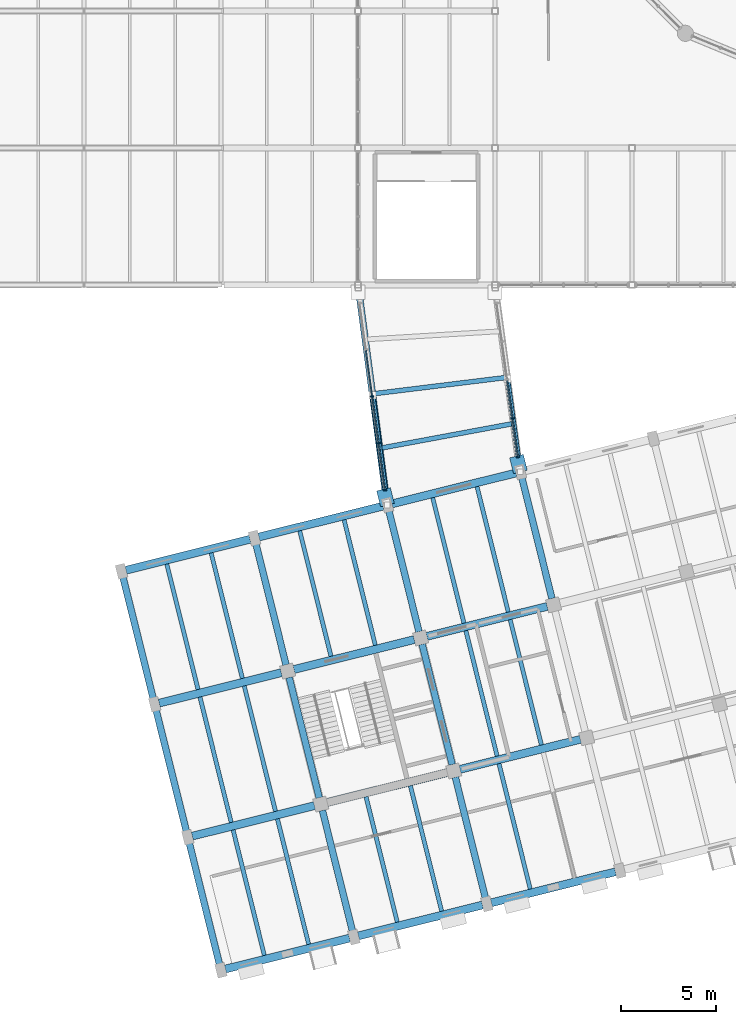
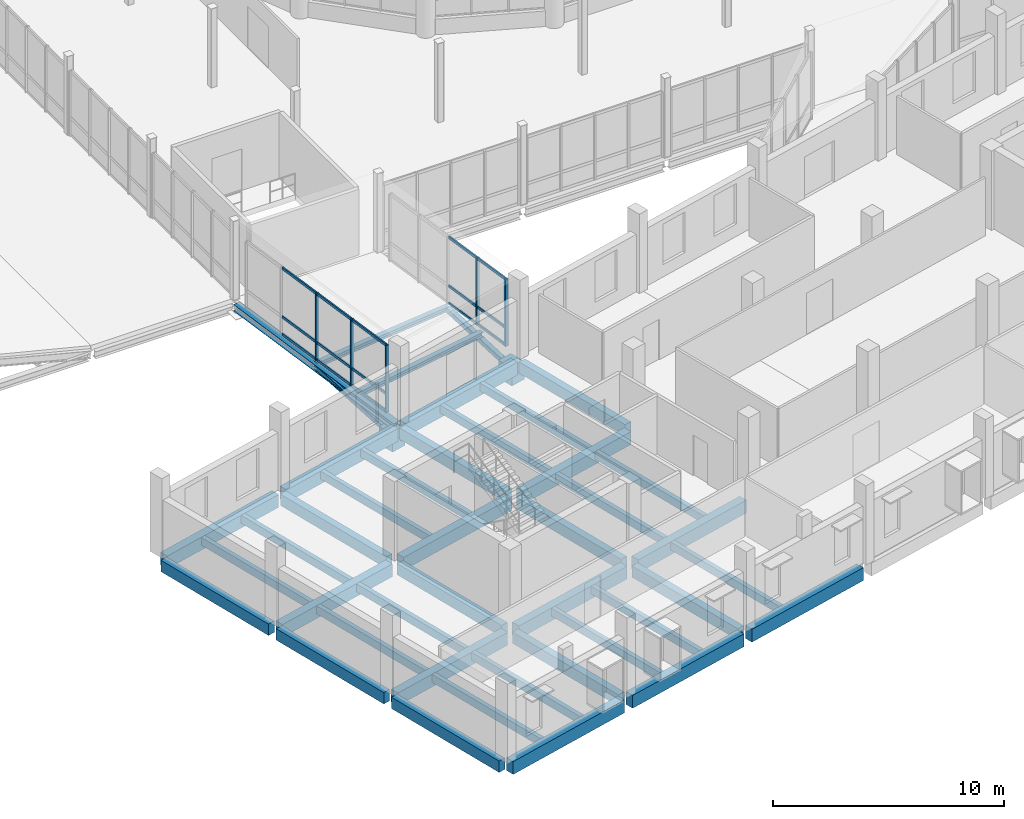
# One storey, part 12 of 63: 42 beams, 22 members, 2 elements without a shape of their own.
"""IFC4 building model written with IfcOpenShell, lengths in metres."""

from ifc_helpers import new_model, si_unit, direction, frame, origin, origin_2d, place, context, subcontext, project, spatial, rectangle, hollow_rectangle, i_section, extrude, material, material_profile, profile_set, type_object, element, aggregate, save


model = new_model("IFC4")

# Units and contexts
model_context = context("Model", 3, precision=1e-05, world=origin(), true_north=direction((0.0, 1.0)))
body_context = subcontext(model_context, "Body", "Model", "MODEL_VIEW")
ifc_project = project(units=[si_unit("LENGTHUNIT", "METRE"), si_unit("AREAUNIT", "SQUARE_METRE"), si_unit("VOLUMEUNIT", "CUBIC_METRE"), si_unit("PLANEANGLEUNIT", "RADIAN"), si_unit("MASSUNIT", "GRAM", prefix="KILO")], contexts=[model_context])

# Site, building, storey
site_placement = place(None, origin())
site = spatial("IfcSite", under=ifc_project, at=site_placement, CompositionType="ELEMENT")
building_placement = place(site_placement, origin())
building = spatial("IfcBuilding", under=site, at=building_placement, Name="Qiaolan Assembly House", CompositionType="ELEMENT")
storey_placement = place(building_placement, frame((0.0, 0.0, 14.39990234375)))
storey = spatial("IfcBuildingStorey", under=building, at=storey_placement, Name="L03", CompositionType="ELEMENT", Elevation=14.39990234375)

# Beams
ifc_material_1 = material(Name="Steel Q355B", Category="steel")
ifc_material_profile_1 = material_profile(ifc_material_1, i_section(OverallWidth=0.35009765625, OverallDepth=0.35009765625, WebThickness=0.011962890625, FlangeThickness=0.01904296875, FilletRadius=0.02001953125, at=origin_2d()), Name="HW 350x350x12x19-BR")
ifc_profile_set_1 = profile_set([ifc_material_profile_1], Name="Steel Q355B")
beam_type_1 = type_object("IfcBeamType", Name="BM-BRIDGE-CHORD-HW350", PredefinedType="BEAM", material=ifc_profile_set_1)
beam_1_placement = place(storey_placement, frame((44.7177734375, 24.55859375, -0.364990234375), z_axis=(-0.131494663693, 0.99131687841, 0.0), x_axis=(-0.99131687841, -0.131494663693, 0.0)))
element("IfcBeam", 1, at=beam_1_placement, inside=storey, type_object=beam_type_1, Name="BGB-01 skybridge main girder WB L03", PredefinedType="BEAM", context=body_context, shape_type="SweptSolid", body=[
    extrude(i_section(OverallWidth=0.35009765625, OverallDepth=0.35009765625, WebThickness=0.011962890625, FlangeThickness=0.01904296875, FilletRadius=0.02001953125, at=origin_2d()), origin(), (0.0, 0.0, 1.0), 11.40185546875),
])
ifc_material_profile_2 = material_profile(ifc_material_1, i_section(OverallWidth=0.25, OverallDepth=0.25, WebThickness=0.009033203125, FlangeThickness=0.013916015625, FilletRadius=0.01611328125, at=origin_2d()), Name="HW 250x250x9x14")
ifc_profile_set_2 = profile_set([ifc_material_profile_2], Name="Steel Q355B")
beam_type_2 = type_object("IfcBeamType", Name="BM-BRIDGE-CROSS-HW250", PredefinedType="BEAM", material=ifc_profile_set_2)
beam_2_placement = place(storey_placement, frame((44.33837890625, 27.4189453125, -0.31494140625), z_axis=(0.983212514339, 0.182464110572, 0.0), x_axis=(-0.182464110572, 0.983212514339, 0.0)))
element("IfcBeam", 2, at=beam_2_placement, inside=storey, type_object=beam_type_2, Name="BGB-02 skybridge cross beam WB L03", PredefinedType="BEAM", context=body_context, shape_type="SweptSolid", body=[
    extrude(i_section(OverallWidth=0.25, OverallDepth=0.25, WebThickness=0.009033203125, FlangeThickness=0.013916015625, FilletRadius=0.01611328125, at=origin_2d()), origin(), (0.0, 0.0, 1.0), 7.15966796875),
])
beam_3_placement = place(storey_placement, frame((43.958740234375, 30.279296875, -0.31494140625), z_axis=(0.992547732706, 0.121856465979, 0.0), x_axis=(-0.121856465979, 0.992547732706, 0.0)))
element("IfcBeam", 3, at=beam_3_placement, inside=storey, type_object=beam_type_2, Name="BGB-02 skybridge cross beam WB L03", PredefinedType="BEAM", context=body_context, shape_type="SweptSolid", body=[
    extrude(i_section(OverallWidth=0.25, OverallDepth=0.25, WebThickness=0.009033203125, FlangeThickness=0.013916015625, FilletRadius=0.01611328125, at=origin_2d()), origin(), (0.0, 0.0, 1.0), 7.146484375),
])
ifc_material_2 = material(Name="Concrete C50/60", Category="concrete")
ifc_material_profile_3 = material_profile(ifc_material_2, rectangle(XDim=0.75, YDim=0.949951171875, at=origin_2d()), Name="RCB 750x950")
ifc_profile_set_3 = profile_set([ifc_material_profile_3], Name="Concrete C50/60")
beam_type_3 = type_object("IfcBeamType", Name="BM-CORBEL-750x950", PredefinedType="SPANDREL", material=ifc_profile_set_3)
beam_4_placement = place(storey_placement, frame((44.746826171875, 24.442138671875, -1.05078125), z_axis=(-0.242130110678, 0.970243788696, 0.0), x_axis=(-0.970243788696, -0.242130110678, 0.0)))
element("IfcBeam", 4, at=beam_4_placement, inside=storey, type_object=beam_type_3, Name="CB-01 movement-joint RC corbel WB L03 SE", PredefinedType="SPANDREL", context=body_context, shape_type="SweptSolid", body=[
    extrude(rectangle(XDim=0.75, YDim=0.949951171875, at=origin_2d()), origin(), (0.0, 0.0, 1.0), 0.85009765625),
])
beam_5_placement = place(storey_placement, frame((51.73291015625, 26.183837890625, -1.05078125), z_axis=(-0.241859697247, 0.97031123195, 0.0), x_axis=(-0.97031123195, -0.241859697247, 0.0)))
element("IfcBeam", 5, at=beam_5_placement, inside=storey, type_object=beam_type_3, Name="CB-01 movement-joint RC corbel WB L03 SE", PredefinedType="SPANDREL", context=body_context, shape_type="SweptSolid", body=[
    extrude(rectangle(XDim=0.75, YDim=0.949951171875, at=origin_2d()), origin(), (0.0, 0.0, 1.0), 0.849853515625),
])
ifc_material_3 = material(Name="Concrete C40/50", Category="concrete")
ifc_material_profile_4 = material_profile(ifc_material_3, rectangle(XDim=0.35009765625, YDim=0.60009765625, at=origin_2d()), Name="RCB 350x600")
ifc_profile_set_4 = profile_set([ifc_material_profile_4], Name="Concrete C40/50")
beam_type_4 = type_object("IfcBeamType", Name="BM-RC-350x600", PredefinedType="BEAM", material=ifc_profile_set_4)
beam_6_placement = place(storey_placement, frame((35.94189453125, 0.23291015625, -0.514892578125), z_axis=(-0.241928634891, 0.970294045957, 0.0), x_axis=(-0.970294045957, -0.241928634891, 0.0)))
element("IfcBeam", 6, at=beam_6_placement, inside=storey, type_object=beam_type_4, Name="GB-08 beam BMV-SE-L03-00-00", PredefinedType="BEAM", context=body_context, shape_type="SweptSolid", body=[
    extrude(rectangle(XDim=0.35009765625, YDim=0.60009765625, at=origin_2d()), origin(), (0.0, 0.0, 1.0), 6.719970703125),
])
for number, where, z_axis, x_axis, name in (
    (7, (34.2001953125, 7.218994140625, -0.514892578125), (-0.241920106756, 0.970296172283, 0.0), (-0.970296172283, -0.241920106756, 0.0), "GB-08 beam BMV-SE-L03-00-01"),
    (8, (32.458251953125, 14.205078125, -0.514892578125), (-0.241920106756, 0.970296172283, 0.0), (-0.970296172283, -0.241920106756, 0.0), "GB-08 beam BMV-SE-L03-00-02"),
):
    element("IfcBeam", number, at=place(storey_placement, frame(where, z_axis=z_axis, x_axis=x_axis)), inside=storey, type_object=beam_type_4, Name=name, PredefinedType="BEAM", context=body_context, shape_type="SweptSolid", body=[
        extrude(rectangle(XDim=0.35009765625, YDim=0.60009765625, at=origin_2d()), origin(), (0.0, 0.0, 1.0), 6.72021484375),
    ])
beam_7_placement = place(storey_placement, frame((42.927978515625, 1.974609375, -0.514892578125), z_axis=(-0.241893432628, 0.970302822448, 0.0), x_axis=(-0.970302822448, -0.241893432628, 0.0)))
element("IfcBeam", 9, at=beam_7_placement, inside=storey, type_object=beam_type_4, Name="GB-08 beam BMV-SE-L03-01-00", PredefinedType="BEAM", context=body_context, shape_type="SweptSolid", body=[
    extrude(rectangle(XDim=0.35009765625, YDim=0.60009765625, at=origin_2d()), origin(), (0.0, 0.0, 1.0), 6.619873046875),
])
beam_8_placement = place(storey_placement, frame((41.162109375, 9.057861328125, -0.514892578125), z_axis=(-0.241927658105, 0.970294289504, 0.0), x_axis=(-0.970294289504, -0.241927658105, 0.0)))
element("IfcBeam", 10, at=beam_8_placement, inside=storey, type_object=beam_type_4, Name="GB-08 beam BMV-SE-L03-01-01", PredefinedType="BEAM", context=body_context, shape_type="SweptSolid", body=[
    extrude(rectangle(XDim=0.35009765625, YDim=0.60009765625, at=origin_2d()), origin(), (0.0, 0.0, 1.0), 6.52001953125),
])
for number, where, z_axis, x_axis, name in (
    (11, (39.420166015625, 16.0439453125, -0.514892578125), (-0.241928153868, 0.970294165893, 0.0), (-0.970294165893, -0.241928153868, 0.0), "GB-08 beam BMV-SE-L03-01-02"),
    (12, (49.914306640625, 3.716552734375, -0.514892578125), (-0.241928153868, 0.970294165893, 0.0), (-0.970294165893, -0.241928153868, 0.0), "GB-08 beam BMV-SE-L03-02-00"),
):
    element("IfcBeam", number, at=place(storey_placement, frame(where, z_axis=z_axis, x_axis=x_axis)), inside=storey, type_object=beam_type_4, Name=name, PredefinedType="BEAM", context=body_context, shape_type="SweptSolid", body=[
        extrude(rectangle(XDim=0.35009765625, YDim=0.60009765625, at=origin_2d()), origin(), (0.0, 0.0, 1.0), 6.619873046875),
    ])
beam_9_placement = place(storey_placement, frame((48.148193359375, 10.7998046875, -0.514892578125), z_axis=(-0.241936448129, 0.970292097807, 0.0), x_axis=(-0.970292097807, -0.241936448129, 0.0)))
element("IfcBeam", 13, at=beam_9_placement, inside=storey, type_object=beam_type_4, Name="GB-08 beam BMV-SE-L03-02-01", PredefinedType="BEAM", context=body_context, shape_type="SweptSolid", body=[
    extrude(rectangle(XDim=0.35009765625, YDim=0.60009765625, at=origin_2d()), origin(), (0.0, 0.0, 1.0), 6.519775390625),
])
for number, where, z_axis, x_axis, name in (
    (14, (46.40625, 17.785888671875, -0.514892578125), (-0.241928153868, 0.970294165893, 0.0), (-0.970294165893, -0.241928153868, 0.0), "GB-08 beam BMV-SE-L03-02-02"),
    (15, (53.392578125, 19.527587890625, -0.514892578125), (-0.241928153868, 0.970294165893, 0.0), (-0.970294165893, -0.241928153868, 0.0), "GB-08 beam BMV-SE-L03-03-02"),
):
    element("IfcBeam", number, at=place(storey_placement, frame(where, z_axis=z_axis, x_axis=x_axis)), inside=storey, type_object=beam_type_4, Name=name, PredefinedType="BEAM", context=body_context, shape_type="SweptSolid", body=[
        extrude(rectangle(XDim=0.35009765625, YDim=0.60009765625, at=origin_2d()), origin(), (0.0, 0.0, 1.0), 6.619873046875),
    ])
ifc_material_profile_5 = material_profile(ifc_material_3, rectangle(XDim=0.419921875, YDim=0.679931640625, at=origin_2d()), Name="RCB 420x680")
ifc_profile_set_5 = profile_set([ifc_material_profile_5], Name="Concrete C40/50")
beam_type_5 = type_object("IfcBeamType", Name="BM-RC-420x680", PredefinedType="BEAM", material=ifc_profile_set_5)
beam_10_placement = place(storey_placement, frame((36.23291015625, 0.05810546875, -0.554931640625), z_axis=(0.970294045957, 0.241928634891, 0.0), x_axis=(-0.241928634891, 0.970294045957, 0.0)))
element("IfcBeam", 16, at=beam_10_placement, inside=storey, type_object=beam_type_5, Name="GB-12 beam BMU-SE-L03-00-00", PredefinedType="BEAM", context=body_context, shape_type="SweptSolid", body=[
    extrude(rectangle(XDim=0.419921875, YDim=0.679931640625, at=origin_2d()), origin(), (0.0, 0.0, 1.0), 6.719970703125),
])
for number, where, z_axis, x_axis, name in (
    (17, (43.218994140625, 1.7998046875, -0.554931640625), (0.970296172283, 0.241920106756, 0.0), (-0.241920106756, 0.970296172283, 0.0), "GB-12 beam BMU-SE-L03-01-00"),
    (18, (50.205078125, 3.541748046875, -0.554931640625), (0.970296172283, 0.241920106756, 0.0), (-0.241920106756, 0.970296172283, 0.0), "GB-12 beam BMU-SE-L03-02-00"),
):
    element("IfcBeam", number, at=place(storey_placement, frame(where, z_axis=z_axis, x_axis=x_axis)), inside=storey, type_object=beam_type_5, Name=name, PredefinedType="BEAM", context=body_context, shape_type="SweptSolid", body=[
        extrude(rectangle(XDim=0.419921875, YDim=0.679931640625, at=origin_2d()), origin(), (0.0, 0.0, 1.0), 6.72021484375),
    ])
beam_11_placement = place(storey_placement, frame((34.490966796875, 7.044189453125, -0.554931640625), z_axis=(0.970294165893, 0.241928153868, 0.0), x_axis=(-0.241928153868, 0.970294165893, 0.0)))
element("IfcBeam", 19, at=beam_11_placement, inside=storey, type_object=beam_type_5, Name="GB-12 beam BMU-SE-L03-00-01", PredefinedType="BEAM", context=body_context, shape_type="SweptSolid", body=[
    extrude(rectangle(XDim=0.419921875, YDim=0.679931640625, at=origin_2d()), origin(), (0.0, 0.0, 1.0), 6.619873046875),
])
for number, where, z_axis, x_axis, name in (
    (20, (41.57421875, 8.810302734375, -0.554931640625), (0.970303078658, 0.241892404898, 0.0), (-0.241892404898, 0.970303078658, 0.0), "GB-12 beam BMU-SE-L03-01-01"),
    (21, (48.560302734375, 10.552001953125, -0.554931640625), (0.970294289504, 0.241927658105, 0.0), (-0.241927658105, 0.970294289504, 0.0), "GB-12 beam BMU-SE-L03-02-01"),
):
    element("IfcBeam", number, at=place(storey_placement, frame(where, z_axis=z_axis, x_axis=x_axis)), inside=storey, type_object=beam_type_5, Name=name, PredefinedType="BEAM", context=body_context, shape_type="SweptSolid", body=[
        extrude(rectangle(XDim=0.419921875, YDim=0.679931640625, at=origin_2d()), origin(), (0.0, 0.0, 1.0), 6.52001953125),
    ])
beam_12_placement = place(storey_placement, frame((32.749267578125, 14.0302734375, -0.554931640625), z_axis=(0.970294165893, 0.241928153868, 0.0), x_axis=(-0.241928153868, 0.970294165893, 0.0)))
element("IfcBeam", 22, at=beam_12_placement, inside=storey, type_object=beam_type_5, Name="GB-12 beam BMU-SE-L03-00-02", PredefinedType="BEAM", context=body_context, shape_type="SweptSolid", body=[
    extrude(rectangle(XDim=0.419921875, YDim=0.679931640625, at=origin_2d()), origin(), (0.0, 0.0, 1.0), 6.619873046875),
])
beam_13_placement = place(storey_placement, frame((39.832275390625, 15.79638671875, -0.554931640625), z_axis=(0.970294289504, 0.241927658105, 0.0), x_axis=(-0.241927658105, 0.970294289504, 0.0)))
element("IfcBeam", 23, at=beam_13_placement, inside=storey, type_object=beam_type_5, Name="GB-12 beam BMU-SE-L03-01-02", PredefinedType="BEAM", context=body_context, shape_type="SweptSolid", body=[
    extrude(rectangle(XDim=0.419921875, YDim=0.679931640625, at=origin_2d()), origin(), (0.0, 0.0, 1.0), 6.52001953125),
])
beam_14_placement = place(storey_placement, frame((46.818603515625, 17.5380859375, -0.554931640625), z_axis=(0.970292097807, 0.241936448129, 0.0), x_axis=(-0.241936448129, 0.970292097807, 0.0)))
element("IfcBeam", 24, at=beam_14_placement, inside=storey, type_object=beam_type_5, Name="GB-12 beam BMU-SE-L03-02-02", PredefinedType="BEAM", context=body_context, shape_type="SweptSolid", body=[
    extrude(rectangle(XDim=0.419921875, YDim=0.679931640625, at=origin_2d()), origin(), (0.0, 0.0, 1.0), 6.519775390625),
])
for number, where, z_axis, x_axis, name in (
    (25, (31.00732421875, 21.016357421875, -0.554931640625), (0.970296172283, 0.241920106756, 0.0), (-0.241920106756, 0.970296172283, 0.0), "GB-12 beam BMU-SE-L03-00-03"),
    (26, (37.993408203125, 22.75830078125, -0.554931640625), (0.970296172283, 0.241920106756, 0.0), (-0.241920106756, 0.970296172283, 0.0), "GB-12 beam BMU-SE-L03-01-03"),
):
    element("IfcBeam", number, at=place(storey_placement, frame(where, z_axis=z_axis, x_axis=x_axis)), inside=storey, type_object=beam_type_5, Name=name, PredefinedType="BEAM", context=body_context, shape_type="SweptSolid", body=[
        extrude(rectangle(XDim=0.419921875, YDim=0.679931640625, at=origin_2d()), origin(), (0.0, 0.0, 1.0), 6.72021484375),
    ])
beam_15_placement = place(storey_placement, frame((44.979736328125, 24.500244140625, -0.554931640625), z_axis=(0.970302573856, 0.241894429802, 0.0), x_axis=(-0.241894429802, 0.970302573856, 0.0)))
element("IfcBeam", 27, at=beam_15_placement, inside=storey, type_object=beam_type_5, Name="GB-12 beam BMU-SE-L03-02-03", PredefinedType="BEAM", context=body_context, shape_type="SweptSolid", body=[
    extrude(rectangle(XDim=0.419921875, YDim=0.679931640625, at=origin_2d()), origin(), (0.0, 0.0, 1.0), 6.7197265625),
])

# Curtain wall, members
ifc_material_4 = material(Name="Anodised bronze aluminium", Category="aluminium")
curtain_wall_type = type_object("IfcCurtainWallType", Name="CW-BRIDGE-420", PredefinedType="NOTDEFINED", material=ifc_material_4)
curtain_wall_1_placement = place(storey_placement, origin())
curtain_wall_1 = element("IfcCurtainWall", 28, at=curtain_wall_1_placement, inside=storey, type_object=curtain_wall_type, Name="CW-03 Glazed Skybridge Curtain Wall WB L03 W", PredefinedType="NOTDEFINED")
ifc_material_profile_6 = material_profile(ifc_material_4, rectangle(XDim=0.077880859375, YDim=0.179931640625, at=origin_2d()), Name="MUL 78x180")
ifc_profile_set_6 = profile_set([ifc_material_profile_6], Name="Anodised bronze aluminium")
member_type_1 = type_object("IfcMemberType", Name="CW-BRIDGE-420-MUL", PredefinedType="MULLION", material=ifc_profile_set_6)
member_1_placement = place(storey_placement, frame((44.612060546875, 25.2294921875, 0.0), z_axis=(0.0, 0.0, 1.0), x_axis=(-0.134917653255, 0.990856814499, 0.0)))
member_1 = element("IfcMember", 29, at=member_1_placement, type_object=member_type_1, Name="ML-04 mullion CW-BRIDGE-WB-L03-W-1", PredefinedType="MULLION", context=body_context, shape_type="SweptSolid", body=[
    extrude(rectangle(XDim=0.077880859375, YDim=0.179931640625, at=origin_2d()), origin(), (0.0, 0.0, 1.0), 3.550048828125),
])
member_2_placement = place(storey_placement, frame((44.277587890625, 27.68603515625, 0.0), z_axis=(0.0, 0.0, 1.0), x_axis=(-0.134917653255, 0.990856814499, 0.0)))
member_2 = element("IfcMember", 30, at=member_2_placement, type_object=member_type_1, Name="ML-04 mullion CW-BRIDGE-WB-L03-W-2", PredefinedType="MULLION", context=body_context, shape_type="SweptSolid", body=[
    extrude(rectangle(XDim=0.077880859375, YDim=0.179931640625, at=origin_2d()), origin(), (0.0, 0.0, 1.0), 3.550048828125),
])
member_3_placement = place(storey_placement, frame((43.943115234375, 30.142333984375, 0.0), z_axis=(0.0, 0.0, 1.0), x_axis=(-0.134917653255, 0.990856814499, 0.0)))
member_3 = element("IfcMember", 31, at=member_3_placement, type_object=member_type_1, Name="ML-04 mullion CW-BRIDGE-WB-L03-W-3", PredefinedType="MULLION", context=body_context, shape_type="SweptSolid", body=[
    extrude(rectangle(XDim=0.077880859375, YDim=0.179931640625, at=origin_2d()), origin(), (0.0, 0.0, 1.0), 3.550048828125),
])

curtain_wall_2_placement = place(storey_placement, origin())
curtain_wall_2 = element("IfcCurtainWall", 32, at=curtain_wall_2_placement, inside=storey, type_object=curtain_wall_type, Name="CW-03 Glazed Skybridge Curtain Wall WB L03 E", PredefinedType="NOTDEFINED")
member_4_placement = place(storey_placement, frame((51.31640625, 28.9921875, 0.0), z_axis=(0.0, 0.0, 1.0), x_axis=(0.137387630004, -0.990517359324, 0.0)))
member_4 = element("IfcMember", 33, at=member_4_placement, type_object=member_type_1, Name="ML-04 mullion CW-BRIDGE-WB-L03-E-4", PredefinedType="MULLION", context=body_context, shape_type="SweptSolid", body=[
    extrude(rectangle(XDim=0.077880859375, YDim=0.179931640625, at=origin_2d()), origin(), (0.0, 0.0, 1.0), 3.550048828125),
])
member_5_placement = place(storey_placement, frame((51.596923828125, 26.97119140625, 0.0), z_axis=(0.0, 0.0, 1.0), x_axis=(0.137387630004, -0.990517359324, 0.0)))
member_5 = element("IfcMember", 34, at=member_5_placement, type_object=member_type_1, Name="ML-04 mullion CW-BRIDGE-WB-L03-E-5", PredefinedType="MULLION", context=body_context, shape_type="SweptSolid", body=[
    extrude(rectangle(XDim=0.077880859375, YDim=0.179931640625, at=origin_2d()), origin(), (0.0, 0.0, 1.0), 3.550048828125),
])

# Member
ifc_material_profile_7 = material_profile(ifc_material_4, rectangle(XDim=0.068115234375, YDim=0.139892578125, at=origin_2d()), Name="TRN 68x140")
ifc_profile_set_7 = profile_set([ifc_material_profile_7], Name="Anodised bronze aluminium")
member_type_2 = type_object("IfcMemberType", Name="CW-BRIDGE-420-TRN", PredefinedType="USERDEFINED", material=ifc_profile_set_7)
member_6_placement = place(storey_placement, frame((44.606689453125, 25.268310546875, 0.030029296875), z_axis=(-0.134840926232, 0.990867258826, 0.0), x_axis=(-0.990867258826, -0.134840926232, 0.0)))
member_6 = element("IfcMember", 35, at=member_6_placement, type_object=member_type_2, Name="TR-04 transom CW-BRIDGE-WB-L03-W-1-1", ObjectType="TRANSOM", PredefinedType="USERDEFINED", context=body_context, shape_type="SweptSolid", body=[
    extrude(rectangle(XDim=0.068115234375, YDim=0.139892578125, at=origin_2d()), origin(), (0.0, 0.0, 1.0), 2.40087890625),
])

member_7_placement = place(storey_placement, frame((44.606689453125, 25.268310546875, 0.9501953125), z_axis=(-0.134840926232, 0.990867258826, 0.0), x_axis=(-0.990867258826, -0.134840926232, 0.0)))
member_7 = element("IfcMember", 36, at=member_7_placement, type_object=member_type_2, Name="TR-04 transom CW-BRIDGE-WB-L03-W-1-2", ObjectType="TRANSOM", PredefinedType="USERDEFINED", context=body_context, shape_type="SweptSolid", body=[
    extrude(rectangle(XDim=0.068115234375, YDim=0.139892578125, at=origin_2d()), origin(), (0.0, 0.0, 1.0), 2.40087890625),
])

member_8_placement = place(storey_placement, frame((44.606689453125, 25.268310546875, 3.52001953125), z_axis=(-0.134840926232, 0.990867258826, 0.0), x_axis=(-0.990867258826, -0.134840926232, 0.0)))
member_8 = element("IfcMember", 37, at=member_8_placement, type_object=member_type_2, Name="TR-04 transom CW-BRIDGE-WB-L03-W-1-3", ObjectType="TRANSOM", PredefinedType="USERDEFINED", context=body_context, shape_type="SweptSolid", body=[
    extrude(rectangle(XDim=0.068115234375, YDim=0.139892578125, at=origin_2d()), origin(), (0.0, 0.0, 1.0), 2.40087890625),
])

member_9_placement = place(storey_placement, frame((44.272216796875, 27.724609375, 0.030029296875), z_axis=(-0.134840926232, 0.990867258826, 0.0), x_axis=(-0.990867258826, -0.134840926232, 0.0)))
member_9 = element("IfcMember", 38, at=member_9_placement, type_object=member_type_2, Name="TR-04 transom CW-BRIDGE-WB-L03-W-2-1", ObjectType="TRANSOM", PredefinedType="USERDEFINED", context=body_context, shape_type="SweptSolid", body=[
    extrude(rectangle(XDim=0.068115234375, YDim=0.139892578125, at=origin_2d()), origin(), (0.0, 0.0, 1.0), 2.40087890625),
])

member_10_placement = place(storey_placement, frame((44.272216796875, 27.724609375, 0.9501953125), z_axis=(-0.134840926232, 0.990867258826, 0.0), x_axis=(-0.990867258826, -0.134840926232, 0.0)))
member_10 = element("IfcMember", 39, at=member_10_placement, type_object=member_type_2, Name="TR-04 transom CW-BRIDGE-WB-L03-W-2-2", ObjectType="TRANSOM", PredefinedType="USERDEFINED", context=body_context, shape_type="SweptSolid", body=[
    extrude(rectangle(XDim=0.068115234375, YDim=0.139892578125, at=origin_2d()), origin(), (0.0, 0.0, 1.0), 2.40087890625),
])

member_11_placement = place(storey_placement, frame((44.272216796875, 27.724609375, 3.52001953125), z_axis=(-0.134840926232, 0.990867258826, 0.0), x_axis=(-0.990867258826, -0.134840926232, 0.0)))
member_11 = element("IfcMember", 40, at=member_11_placement, type_object=member_type_2, Name="TR-04 transom CW-BRIDGE-WB-L03-W-2-3", ObjectType="TRANSOM", PredefinedType="USERDEFINED", context=body_context, shape_type="SweptSolid", body=[
    extrude(rectangle(XDim=0.068115234375, YDim=0.139892578125, at=origin_2d()), origin(), (0.0, 0.0, 1.0), 2.40087890625),
])

member_12_placement = place(storey_placement, frame((43.93798828125, 30.180908203125, 0.030029296875), z_axis=(-0.134927170158, 0.990855518607, 0.0), x_axis=(-0.990855518607, -0.134927170158, 0.0)))
member_12 = element("IfcMember", 41, at=member_12_placement, type_object=member_type_2, Name="TR-04 transom CW-BRIDGE-WB-L03-W-3-1", ObjectType="TRANSOM", PredefinedType="USERDEFINED", context=body_context, shape_type="SweptSolid", body=[
    extrude(rectangle(XDim=0.068115234375, YDim=0.139892578125, at=origin_2d()), origin(), (0.0, 0.0, 1.0), 2.401123046875),
])

member_13_placement = place(storey_placement, frame((43.93798828125, 30.180908203125, 0.9501953125), z_axis=(-0.134927170158, 0.990855518607, 0.0), x_axis=(-0.990855518607, -0.134927170158, 0.0)))
member_13 = element("IfcMember", 42, at=member_13_placement, type_object=member_type_2, Name="TR-04 transom CW-BRIDGE-WB-L03-W-3-2", ObjectType="TRANSOM", PredefinedType="USERDEFINED", context=body_context, shape_type="SweptSolid", body=[
    extrude(rectangle(XDim=0.068115234375, YDim=0.139892578125, at=origin_2d()), origin(), (0.0, 0.0, 1.0), 2.401123046875),
])

member_14_placement = place(storey_placement, frame((43.93798828125, 30.180908203125, 3.52001953125), z_axis=(-0.134927170158, 0.990855518607, 0.0), x_axis=(-0.990855518607, -0.134927170158, 0.0)))
member_14 = element("IfcMember", 43, at=member_14_placement, type_object=member_type_2, Name="TR-04 transom CW-BRIDGE-WB-L03-W-3-3", ObjectType="TRANSOM", PredefinedType="USERDEFINED", context=body_context, shape_type="SweptSolid", body=[
    extrude(rectangle(XDim=0.068115234375, YDim=0.139892578125, at=origin_2d()), origin(), (0.0, 0.0, 1.0), 2.401123046875),
])

aggregate(curtain_wall_1, [member_1, member_2, member_3, member_6, member_7, member_8, member_9, member_10, member_11, member_12, member_13, member_14])

member_15_placement = place(storey_placement, frame((51.04150390625, 30.974609375, 0.030029296875), z_axis=(0.137361532541, -0.990520978767, 0.0), x_axis=(0.990520978767, 0.137361532541, 0.0)))
member_15 = element("IfcMember", 44, at=member_15_placement, type_object=member_type_2, Name="TR-04 transom CW-BRIDGE-WB-L03-E-3-1", ObjectType="TRANSOM", PredefinedType="USERDEFINED", context=body_context, shape_type="SweptSolid", body=[
    extrude(rectangle(XDim=0.068115234375, YDim=0.139892578125, at=origin_2d()), origin(), (0.0, 0.0, 1.0), 1.962158203125),
])

member_16_placement = place(storey_placement, frame((51.04150390625, 30.974609375, 0.9501953125), z_axis=(0.137361532541, -0.990520978767, 0.0), x_axis=(0.990520978767, 0.137361532541, 0.0)))
member_16 = element("IfcMember", 45, at=member_16_placement, type_object=member_type_2, Name="TR-04 transom CW-BRIDGE-WB-L03-E-3-2", ObjectType="TRANSOM", PredefinedType="USERDEFINED", context=body_context, shape_type="SweptSolid", body=[
    extrude(rectangle(XDim=0.068115234375, YDim=0.139892578125, at=origin_2d()), origin(), (0.0, 0.0, 1.0), 1.962158203125),
])

member_17_placement = place(storey_placement, frame((51.04150390625, 30.974609375, 3.52001953125), z_axis=(0.137361532541, -0.990520978767, 0.0), x_axis=(0.990520978767, 0.137361532541, 0.0)))
member_17 = element("IfcMember", 46, at=member_17_placement, type_object=member_type_2, Name="TR-04 transom CW-BRIDGE-WB-L03-E-3-3", ObjectType="TRANSOM", PredefinedType="USERDEFINED", context=body_context, shape_type="SweptSolid", body=[
    extrude(rectangle(XDim=0.068115234375, YDim=0.139892578125, at=origin_2d()), origin(), (0.0, 0.0, 1.0), 1.962158203125),
])

member_18_placement = place(storey_placement, frame((51.32177734375, 28.95361328125, 0.030029296875), z_axis=(0.137483603477, -0.990504042786, 0.0), x_axis=(0.990504042786, 0.137483603477, 0.0)))
member_18 = element("IfcMember", 47, at=member_18_placement, type_object=member_type_2, Name="TR-04 transom CW-BRIDGE-WB-L03-E-4-1", ObjectType="TRANSOM", PredefinedType="USERDEFINED", context=body_context, shape_type="SweptSolid", body=[
    extrude(rectangle(XDim=0.068115234375, YDim=0.139892578125, at=origin_2d()), origin(), (0.0, 0.0, 1.0), 1.962158203125),
])

member_19_placement = place(storey_placement, frame((51.32177734375, 28.95361328125, 0.9501953125), z_axis=(0.137483603477, -0.990504042786, 0.0), x_axis=(0.990504042786, 0.137483603477, 0.0)))
member_19 = element("IfcMember", 48, at=member_19_placement, type_object=member_type_2, Name="TR-04 transom CW-BRIDGE-WB-L03-E-4-2", ObjectType="TRANSOM", PredefinedType="USERDEFINED", context=body_context, shape_type="SweptSolid", body=[
    extrude(rectangle(XDim=0.068115234375, YDim=0.139892578125, at=origin_2d()), origin(), (0.0, 0.0, 1.0), 1.962158203125),
])

member_20_placement = place(storey_placement, frame((51.32177734375, 28.95361328125, 3.52001953125), z_axis=(0.137483603477, -0.990504042786, 0.0), x_axis=(0.990504042786, 0.137483603477, 0.0)))
member_20 = element("IfcMember", 49, at=member_20_placement, type_object=member_type_2, Name="TR-04 transom CW-BRIDGE-WB-L03-E-4-3", ObjectType="TRANSOM", PredefinedType="USERDEFINED", context=body_context, shape_type="SweptSolid", body=[
    extrude(rectangle(XDim=0.068115234375, YDim=0.139892578125, at=origin_2d()), origin(), (0.0, 0.0, 1.0), 1.962158203125),
])

aggregate(curtain_wall_2, [member_4, member_5, member_15, member_16, member_17, member_18, member_19, member_20])

# Beams
ifc_material_profile_8 = material_profile(ifc_material_3, rectangle(XDim=0.219970703125, YDim=0.419921875, at=origin_2d()), Name="RCB 220x420")
ifc_profile_set_8 = profile_set([ifc_material_profile_8], Name="Concrete C40/50")
beam_type_6 = type_object("IfcBeamType", Name="JST-RC-220x420", PredefinedType="JOIST", material=ifc_profile_set_8)
beam_16_placement = place(storey_placement, frame((38.279296875, 0.778564453125, -0.4248046875), z_axis=(-0.241909709048, 0.970298764643, 0.0), x_axis=(-0.970298764643, -0.241909709048, 0.0)))
element("IfcBeam", 50, at=beam_16_placement, inside=storey, type_object=beam_type_6, Name="RJ-03 beam JST-SE-L03-00-00-1", PredefinedType="JOIST", context=body_context, shape_type="SweptSolid", body=[
    extrude(rectangle(XDim=0.219970703125, YDim=0.419921875, at=origin_2d()), origin(), (0.0, 0.0, 1.0), 6.7919921875),
])
for number, where, z_axis, x_axis, name in (
    (51, (40.608154296875, 1.359130859375, -0.4248046875), (-0.241943550075, 0.970290326952, 0.0), (-0.970290326952, -0.241943550075, 0.0), "RJ-03 beam JST-SE-L03-00-00-2"),
    (52, (36.53759765625, 7.7646484375, -0.4248046875), (-0.241943550075, 0.970290326952, 0.0), (-0.970290326952, -0.241943550075, 0.0), "RJ-03 beam JST-SE-L03-00-01-1"),
):
    element("IfcBeam", number, at=place(storey_placement, frame(where, z_axis=z_axis, x_axis=x_axis)), inside=storey, type_object=beam_type_6, Name=name, PredefinedType="JOIST", context=body_context, shape_type="SweptSolid", body=[
        extrude(rectangle(XDim=0.219970703125, YDim=0.419921875, at=origin_2d()), origin(), (0.0, 0.0, 1.0), 6.792236328125),
    ])
for number, where, z_axis, x_axis, name in (
    (53, (38.8662109375, 8.34521484375, -0.4248046875), (-0.241909709048, 0.970298764643, 0.0), (-0.970298764643, -0.241909709048, 0.0), "RJ-03 beam JST-SE-L03-00-01-2"),
    (54, (34.795654296875, 14.750732421875, -0.4248046875), (-0.241909709048, 0.970298764643, 0.0), (-0.970298764643, -0.241909709048, 0.0), "RJ-03 beam JST-SE-L03-00-02-1"),
    (55, (37.12451171875, 15.33154296875, -0.4248046875), (-0.241951988568, 0.970288222761, 0.0), (-0.970288222761, -0.241951988568, 0.0), "RJ-03 beam JST-SE-L03-00-02-2"),
):
    element("IfcBeam", number, at=place(storey_placement, frame(where, z_axis=z_axis, x_axis=x_axis)), inside=storey, type_object=beam_type_6, Name=name, PredefinedType="JOIST", context=body_context, shape_type="SweptSolid", body=[
        extrude(rectangle(XDim=0.219970703125, YDim=0.419921875, at=origin_2d()), origin(), (0.0, 0.0, 1.0), 6.7919921875),
    ])
for number, where, z_axis, x_axis, name in (
    (56, (45.265380859375, 2.5205078125, -0.4248046875), (-0.241918146508, 0.970296661022, 0.0), (-0.970296661022, -0.241918146508, 0.0), "RJ-03 beam JST-SE-L03-01-00-1"),
    (57, (47.59423828125, 3.10107421875, -0.4248046875), (-0.241918146508, 0.970296661022, 0.0), (-0.970296661022, -0.241918146508, 0.0), "RJ-03 beam JST-SE-L03-01-00-2"),
):
    element("IfcBeam", number, at=place(storey_placement, frame(where, z_axis=z_axis, x_axis=x_axis)), inside=storey, type_object=beam_type_6, Name=name, PredefinedType="JOIST", context=body_context, shape_type="SweptSolid", body=[
        extrude(rectangle(XDim=0.219970703125, YDim=0.419921875, at=origin_2d()), origin(), (0.0, 0.0, 1.0), 6.791748046875),
    ])
beam_17_placement = place(storey_placement, frame((41.78173828125, 16.49267578125, -0.4248046875), z_axis=(-0.241909709048, 0.970298764643, 0.0), x_axis=(-0.970298764643, -0.241909709048, 0.0)))
element("IfcBeam", 58, at=beam_17_placement, inside=storey, type_object=beam_type_6, Name="RJ-03 beam JST-SE-L03-01-02-1", PredefinedType="JOIST", context=body_context, shape_type="SweptSolid", body=[
    extrude(rectangle(XDim=0.219970703125, YDim=0.419921875, at=origin_2d()), origin(), (0.0, 0.0, 1.0), 6.7919921875),
])
for number, where, z_axis, x_axis, name in (
    (59, (44.110595703125, 17.0732421875, -0.4248046875), (-0.241943550075, 0.970290326952, 0.0), (-0.970290326952, -0.241943550075, 0.0), "RJ-03 beam JST-SE-L03-01-02-2"),
    (60, (52.251708984375, 4.26220703125, -0.4248046875), (-0.241943550075, 0.970290326952, 0.0), (-0.970290326952, -0.241943550075, 0.0), "RJ-03 beam JST-SE-L03-02-00-1"),
):
    element("IfcBeam", number, at=place(storey_placement, frame(where, z_axis=z_axis, x_axis=x_axis)), inside=storey, type_object=beam_type_6, Name=name, PredefinedType="JOIST", context=body_context, shape_type="SweptSolid", body=[
        extrude(rectangle(XDim=0.219970703125, YDim=0.419921875, at=origin_2d()), origin(), (0.0, 0.0, 1.0), 6.792236328125),
    ])
for number, where, z_axis, x_axis, name in (
    (61, (50.509765625, 11.248291015625, -0.4248046875), (-0.241909709048, 0.970298764643, 0.0), (-0.970298764643, -0.241909709048, 0.0), "RJ-03 beam JST-SE-L03-02-01-1"),
    (62, (52.83837890625, 11.828857421875, -0.4248046875), (-0.241909709048, 0.970298764643, 0.0), (-0.970298764643, -0.241909709048, 0.0), "RJ-03 beam JST-SE-L03-02-01-2"),
    (63, (48.767822265625, 18.234375, -0.4248046875), (-0.241909709048, 0.970298764643, 0.0), (-0.970298764643, -0.241909709048, 0.0), "RJ-03 beam JST-SE-L03-02-02-1"),
):
    element("IfcBeam", number, at=place(storey_placement, frame(where, z_axis=z_axis, x_axis=x_axis)), inside=storey, type_object=beam_type_6, Name=name, PredefinedType="JOIST", context=body_context, shape_type="SweptSolid", body=[
        extrude(rectangle(XDim=0.219970703125, YDim=0.419921875, at=origin_2d()), origin(), (0.0, 0.0, 1.0), 6.7919921875),
    ])
beam_18_placement = place(storey_placement, frame((51.0966796875, 18.815185546875, -0.4248046875), z_axis=(-0.241918146508, 0.970296661022, 0.0), x_axis=(-0.970296661022, -0.241918146508, 0.0)))
element("IfcBeam", 64, at=beam_18_placement, inside=storey, type_object=beam_type_6, Name="RJ-03 beam JST-SE-L03-02-02-2", PredefinedType="JOIST", context=body_context, shape_type="SweptSolid", body=[
    extrude(rectangle(XDim=0.219970703125, YDim=0.419921875, at=origin_2d()), origin(), (0.0, 0.0, 1.0), 6.791748046875),
])

# Members
ifc_material_profile_9 = material_profile(ifc_material_1, hollow_rectangle(XDim=0.25, YDim=0.25, WallThickness=0.010009765625, InnerFilletRadius=0.010009765625, OuterFilletRadius=0.02001953125, at=origin_2d()), Name="SHS 250x250x10")
ifc_profile_set_9 = profile_set([ifc_material_profile_9], Name="Steel Q355B")
member_type_3 = type_object("IfcMemberType", Name="MBR-BRACE-BRIDGE-SHS250", PredefinedType="BRACE", material=ifc_profile_set_9)
member_21_placement = place(storey_placement, frame((44.746826171875, 24.442138671875, -1.05078125), z_axis=(-0.132892765883, 0.984197991847, 0.117020620491), x_axis=(-0.991006718168, -0.133812124062, 0.0)))
element("IfcMember", 65, at=member_21_placement, inside=storey, type_object=member_type_3, Name="BR-03 skybridge brace WB L03", PredefinedType="BRACE", context=body_context, shape_type="SweptSolid", body=[
    extrude(hollow_rectangle(XDim=0.25, YDim=0.25, WallThickness=0.010009765625, InnerFilletRadius=0.010009765625, OuterFilletRadius=0.02001953125, at=origin_2d()), origin(), (0.0, 0.0, 1.0), 5.8603515625),
])
member_22_placement = place(storey_placement, frame((51.73291015625, 26.183837890625, -1.05078125), z_axis=(-0.134590934367, 0.981324958753, 0.137428547669), x_axis=(-0.990725274151, -0.135880208854, 0.0)))
element("IfcMember", 66, at=member_22_placement, inside=storey, type_object=member_type_3, Name="BR-03 skybridge brace WB L03", PredefinedType="BRACE", context=body_context, shape_type="SweptSolid", body=[
    extrude(hollow_rectangle(XDim=0.25, YDim=0.25, WallThickness=0.010009765625, InnerFilletRadius=0.010009765625, OuterFilletRadius=0.02001953125, at=origin_2d()), origin(), (0.0, 0.0, 1.0), 4.990234375),
])

save(model, "model.ifc")
